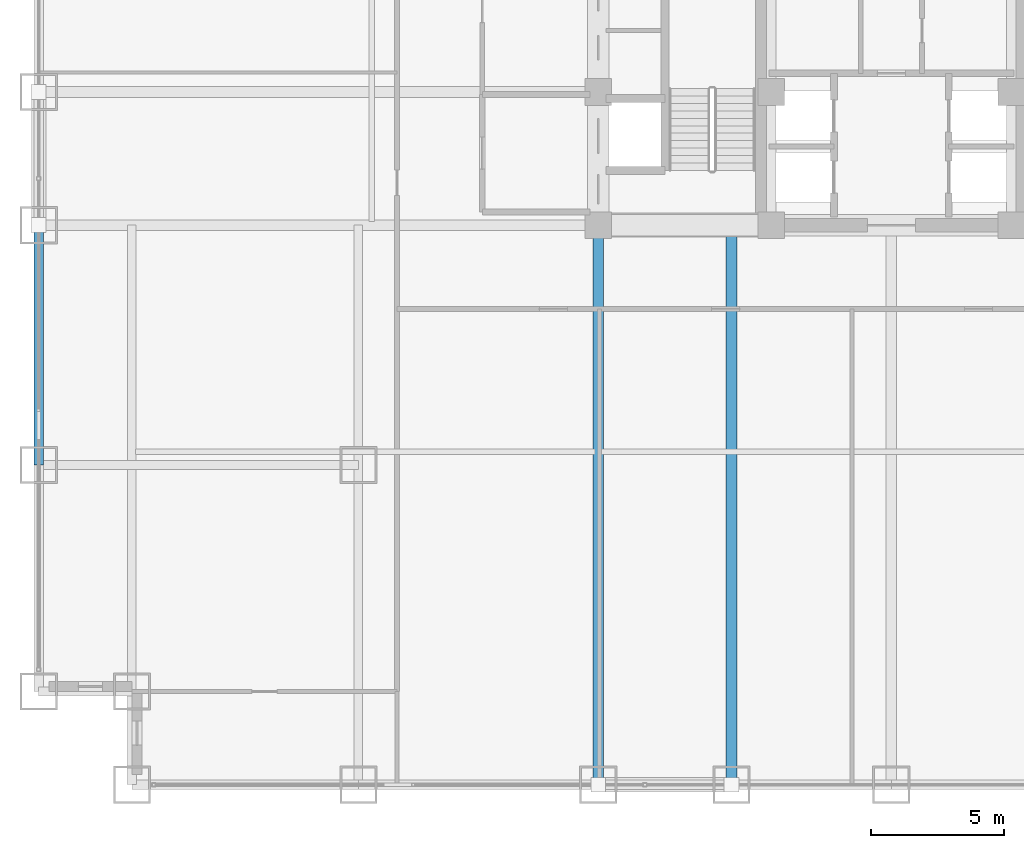
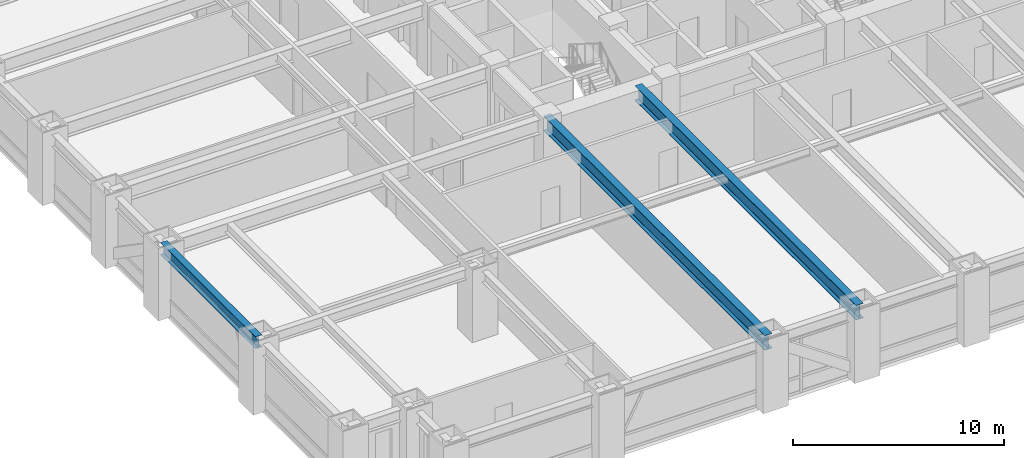
# One storey, part 5 of 27: 3 beams.
"""IFC4 building model written with IfcOpenShell, lengths in metres."""

from ifc_helpers import new_model, si_unit, direction, frame, origin, origin_2d, place, context, subcontext, project, spatial, i_section, extrude, source, transform, mapped, material, material_profile, profile_set, type_object, element, save


model = new_model("IFC4")

# Units and contexts
model_context = context("Model", 3, precision=1e-05, world=origin(), true_north=direction((0.0, 1.0)))
body_context = subcontext(model_context, "Body", "Model", "MODEL_VIEW")
ifc_project = project(units=[si_unit("LENGTHUNIT", "METRE"), si_unit("AREAUNIT", "SQUARE_METRE"), si_unit("VOLUMEUNIT", "CUBIC_METRE"), si_unit("PLANEANGLEUNIT", "RADIAN"), si_unit("MASSUNIT", "GRAM", prefix="KILO")], contexts=[model_context])

# Site, building, storey
site_placement = place(None, origin())
site = spatial("IfcSite", under=ifc_project, at=site_placement, CompositionType="ELEMENT")
building_placement = place(site_placement, origin())
building = spatial("IfcBuilding", under=site, at=building_placement, Name="Khorayat Bourse Tower", CompositionType="ELEMENT")
storey_placement = place(building_placement, frame((0.0, 0.0, 49.39990234375)))
storey = spatial("IfcBuildingStorey", under=building, at=storey_placement, Name="L10", CompositionType="ELEMENT", Elevation=49.39990234375)

# Beams
ifc_material = material(Name="Steel ASTM A992 Grade 50", Category="steel")
ifc_material_profile_1 = material_profile(ifc_material, i_section(OverallWidth=0.35498046875, OverallDepth=0.695068359375, WebThickness=0.015380859375, FlangeThickness=0.02490234375, FilletRadius=0.01806640625, at=origin_2d()), Name="W690X217")
ifc_profile_set_1 = profile_set([ifc_material_profile_1], Name="Steel ASTM A992 Grade 50")
beam_type_1 = type_object("IfcBeamType", Name="BM-SPAN-690", PredefinedType="SPANDREL", material=ifc_profile_set_1)
shared_shape_1 = source(origin(), body_context, "Body", "SweptSolid", [
    extrude(i_section(OverallWidth=0.35498046875, OverallDepth=0.695068359375, WebThickness=0.015380859375, FlangeThickness=0.02490234375, FilletRadius=0.01806640625, at=origin_2d()), origin(), (0.0, 0.0, 1.0), 9.0),
])
beam_placement = place(storey_placement, frame((-32.0, -20.0, 3.592529296875), z_axis=(0.0, 1.0, 0.0), x_axis=(-1.0, 0.0, 0.0)))
element("IfcBeam", 1, at=beam_placement, inside=storey, type_object=beam_type_1, Name="L10 BM-SPAN-690 BM-L10-SPN-060", PredefinedType="SPANDREL", context=body_context, shape_type="MappedRepresentation", body=[
    mapped(shared_shape_1, transform((0.0, 0.0, 0.0), scale=1.0)),
])
ifc_material_profile_2 = material_profile(ifc_material, i_section(OverallWidth=0.39990234375, OverallDepth=0.85498046875, WebThickness=0.018310546875, FlangeThickness=0.029296875, FilletRadius=0.02001953125, at=origin_2d()), Name="W840X299")
ifc_profile_set_2 = profile_set([ifc_material_profile_2], Name="Steel ASTM A992 Grade 50")
beam_type_2 = type_object("IfcBeamType", Name="BM-GIRD-840", PredefinedType="BEAM", material=ifc_profile_set_2)
shared_shape_2 = source(origin(), body_context, "Body", "SweptSolid", [
    extrude(i_section(OverallWidth=0.39990234375, OverallDepth=0.85498046875, WebThickness=0.018310546875, FlangeThickness=0.029296875, FilletRadius=0.02001953125, at=origin_2d()), origin(), (0.0, 0.0, 1.0), 21.0),
])
for number, where, z_axis, x_axis, name in (
    (2, (-11.0, -32.0, 3.5126953125), (0.0, 1.0, 0.0), (-1.0, 0.0, 0.0), "L10 BM-GIRD-840 BM-L10-RADY-065"),
    (3, (-6.0, -32.0, 3.5126953125), (0.0, 1.0, 0.0), (-1.0, 0.0, 0.0), "L10 BM-GIRD-840 BM-L10-RADY-067"),
):
    element("IfcBeam", number, at=place(storey_placement, frame(where, z_axis=z_axis, x_axis=x_axis)), inside=storey, type_object=beam_type_2, Name=name, PredefinedType="BEAM", context=body_context, shape_type="MappedRepresentation", body=[
        mapped(shared_shape_2, transform((0.0, 0.0, 0.0), scale=1.0)),
    ])

save(model, "model.ifc")
